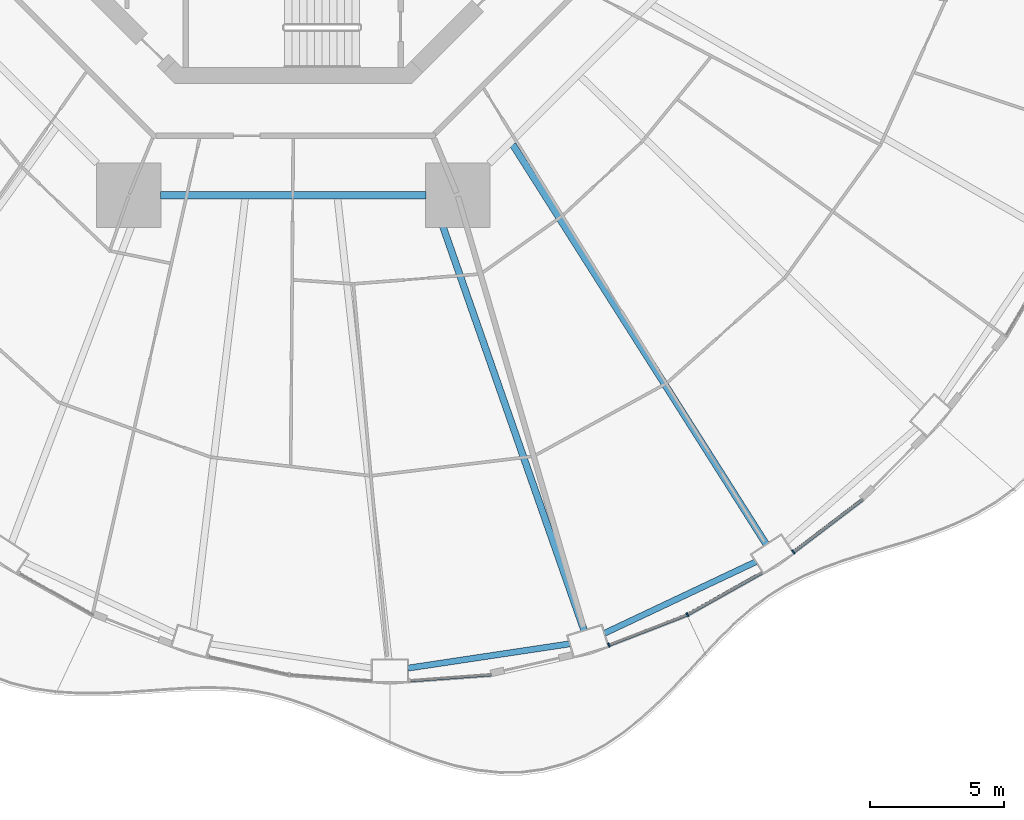
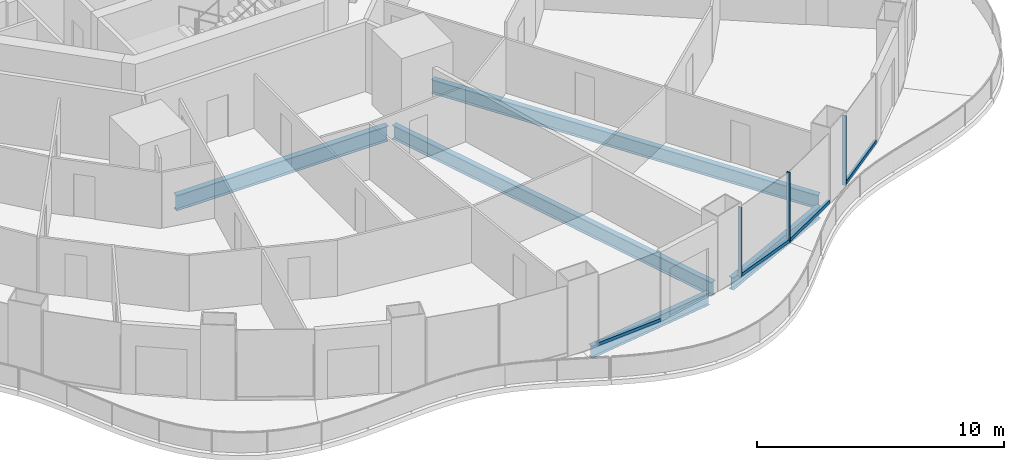
# One storey, part 4 of 22: 7 members, 5 beams, 4 elements without a shape of their own.
"""IFC4 building model written with IfcOpenShell, lengths in metres."""

from ifc_helpers import new_model, si_unit, direction, frame, origin, origin_2d, place, context, subcontext, project, spatial, rectangle, i_section, extrude, material, layer, layer_set, material_profile, profile_set, type_object, element, aggregate, save


model = new_model("IFC4")

# Units and contexts
model_context = context("Model", 3, precision=1e-05, world=origin(), true_north=direction((0.0, 1.0)))
body_context = subcontext(model_context, "Body", "Model", "MODEL_VIEW")
ifc_project = project(units=[si_unit("LENGTHUNIT", "METRE"), si_unit("AREAUNIT", "SQUARE_METRE"), si_unit("VOLUMEUNIT", "CUBIC_METRE"), si_unit("PLANEANGLEUNIT", "RADIAN"), si_unit("MASSUNIT", "GRAM", prefix="KILO")], contexts=[model_context])

# Site, building, storey
site_placement = place(None, origin())
site = spatial("IfcSite", under=ifc_project, at=site_placement, CompositionType="ELEMENT")
building_placement = place(site_placement, origin())
building = spatial("IfcBuilding", under=site, at=building_placement, Name="Nagisa Residences", CompositionType="ELEMENT")
storey_placement = place(building_placement, frame((0.0, 0.0, 38.10009765625)))
storey = spatial("IfcBuildingStorey", under=building, at=storey_placement, Name="L08", CompositionType="ELEMENT", Elevation=38.10009765625)

# Curtain wall, member
ifc_material_1 = material(Name="Concrete-coloured aluminium curtain wall system", Category="concrete")
ifc_layer = layer(ifc_material_1, 0.159912109375)
ifc_layer_set = layer_set([ifc_layer], Name="CW1 CURTAIN WALL")
curtain_wall_type = type_object("IfcCurtainWallType", Name="CW1 CURTAIN WALL", PredefinedType="NOTDEFINED", material=ifc_layer_set)
curtain_wall_1_placement = place(storey_placement, origin())
curtain_wall_1 = element("IfcCurtainWall", 1, at=curtain_wall_1_placement, inside=storey, type_object=curtain_wall_type, Name="cw:CW1:L08:38", PredefinedType="NOTDEFINED")
ifc_material_2 = material(Name="Concrete-coloured aluminium", Category="concrete")
ifc_material_profile_1 = material_profile(ifc_material_2, rectangle(XDim=0.159912109375, YDim=0.06005859375, at=origin_2d()), Name="CW1 MULLION 160x60")
ifc_profile_set_1 = profile_set([ifc_material_profile_1], Name="Concrete-coloured aluminium")
member_type_1 = type_object("IfcMemberType", Name="CW1 MULLION 160x60", PredefinedType="MULLION", material=ifc_profile_set_1)
member_1_placement = place(storey_placement, frame((11.7578125, -31.537841796875, 0.0), z_axis=(0.0, 0.0, 1.0), x_axis=(-0.360327770268, 0.932825759707, 0.0)))
member_1 = element("IfcMember", 2, at=member_1_placement, type_object=member_type_1, Name="CW1 mullion", PredefinedType="MULLION", context=body_context, shape_type="SweptSolid", body=[
    extrude(rectangle(XDim=0.159912109375, YDim=0.06005859375, at=origin_2d()), origin(), (0.0, 0.0, 1.0), 3.43994140625),
])

curtain_wall_2_placement = place(storey_placement, origin())
curtain_wall_2 = element("IfcCurtainWall", 3, at=curtain_wall_2_placement, inside=storey, type_object=curtain_wall_type, Name="cw:CW1:L08:39", PredefinedType="NOTDEFINED")
member_2_placement = place(storey_placement, frame((14.684814453125, -30.403564453125, 0.0), z_axis=(0.0, 0.0, 1.0), x_axis=(-0.489376918501, 0.872072377523, 0.0)))
member_2 = element("IfcMember", 4, at=member_2_placement, type_object=member_type_1, Name="CW1 mullion", PredefinedType="MULLION", context=body_context, shape_type="SweptSolid", body=[
    extrude(rectangle(XDim=0.159912109375, YDim=0.06005859375, at=origin_2d()), origin(), (0.0, 0.0, 1.0), 3.43994140625),
])

curtain_wall_3_placement = place(storey_placement, origin())
curtain_wall_3 = element("IfcCurtainWall", 5, at=curtain_wall_3_placement, inside=storey, type_object=curtain_wall_type, Name="cw:CW1:L08:40", PredefinedType="NOTDEFINED")
member_3_placement = place(storey_placement, frame((18.632568359375, -28.0732421875, 0.0), z_axis=(0.0, 0.0, 1.0), x_axis=(-0.605255421737, 0.79603132756, 0.0)))
member_3 = element("IfcMember", 6, at=member_3_placement, type_object=member_type_1, Name="CW1 mullion", PredefinedType="MULLION", context=body_context, shape_type="SweptSolid", body=[
    extrude(rectangle(XDim=0.159912109375, YDim=0.06005859375, at=origin_2d()), origin(), (0.0, 0.0, 1.0), 3.43994140625),
])

curtain_wall_4_placement = place(storey_placement, origin())
curtain_wall_4 = element("IfcCurtainWall", 7, at=curtain_wall_4_placement, inside=storey, type_object=curtain_wall_type, Name="cw:CW1:L08:36", PredefinedType="NOTDEFINED")
ifc_material_3 = material(Name="Concrete-coloured aluminium", Category="concrete")
ifc_material_profile_2 = material_profile(ifc_material_3, rectangle(XDim=0.1201171875, YDim=0.14990234375, at=origin_2d()), Name="CW1 TRANSOM 120x150")
ifc_profile_set_2 = profile_set([ifc_material_profile_2], Name="Concrete-coloured aluminium")
member_type_2 = type_object("IfcMemberType", Name="CW1 TRANSOM 120x150", PredefinedType="USERDEFINED", material=ifc_profile_set_2)
member_4_placement = place(storey_placement, frame((4.2919921875, -32.8681640625, 0.074951171875), z_axis=(0.997231270995, 0.07436257224, 0.0), x_axis=(-0.07436257224, 0.997231270995, 0.0)))
member_4 = element("IfcMember", 8, at=member_4_placement, type_object=member_type_2, Name="CW1 transom", ObjectType="TRANSOM", PredefinedType="USERDEFINED", context=body_context, shape_type="SweptSolid", body=[
    extrude(rectangle(XDim=0.1201171875, YDim=0.14990234375, at=origin_2d()), origin(), (0.0, 0.0, 1.0), 3.095947265625),
])
aggregate(curtain_wall_4, [member_4])

# Member
member_5_placement = place(storey_placement, frame((11.72998046875, -31.548583984375, 0.074951171875), z_axis=(0.932825366452, 0.360328788337, 0.0), x_axis=(-0.360328788337, 0.932825366452, 0.0)))
member_5 = element("IfcMember", 9, at=member_5_placement, type_object=member_type_2, Name="CW1 transom", ObjectType="TRANSOM", PredefinedType="USERDEFINED", context=body_context, shape_type="SweptSolid", body=[
    extrude(rectangle(XDim=0.1201171875, YDim=0.14990234375, at=origin_2d()), origin(), (0.0, 0.0, 1.0), 3.150634765625),
])

aggregate(curtain_wall_1, [member_1, member_5])

member_6_placement = place(storey_placement, frame((14.65869140625, -30.418212890625, 0.074951171875), z_axis=(0.872070011948, 0.489381133946, 0.0), x_axis=(-0.489381133946, 0.872070011948, 0.0)))
member_6 = element("IfcMember", 10, at=member_6_placement, type_object=member_type_2, Name="CW1 transom", ObjectType="TRANSOM", PredefinedType="USERDEFINED", context=body_context, shape_type="SweptSolid", body=[
    extrude(rectangle(XDim=0.1201171875, YDim=0.14990234375, at=origin_2d()), origin(), (0.0, 0.0, 1.0), 3.201171875),
])

aggregate(curtain_wall_2, [member_2, member_6])

member_7_placement = place(storey_placement, frame((18.60888671875, -28.091552734375, 0.074951171875), z_axis=(0.79599487499, 0.605303361125, 0.0), x_axis=(-0.605303361125, 0.79599487499, 0.0)))
member_7 = element("IfcMember", 11, at=member_7_placement, type_object=member_type_2, Name="CW1 transom", ObjectType="TRANSOM", PredefinedType="USERDEFINED", context=body_context, shape_type="SweptSolid", body=[
    extrude(rectangle(XDim=0.1201171875, YDim=0.14990234375, at=origin_2d()), origin(), (0.0, 0.0, 1.0), 3.26220703125),
])

aggregate(curtain_wall_3, [member_3, member_7])

# Beams
ifc_material_4 = material(Name="Steel ASTM A572 Gr 50", Category="steel")
ifc_material_profile_3 = material_profile(ifc_material_4, i_section(OverallWidth=0.264892578125, OverallDepth=0.7529296875, WebThickness=0.01318359375, FlangeThickness=0.01708984375, at=origin_2d()), Name="W760x147")
ifc_profile_set_3 = profile_set([ifc_material_profile_3], Name="Steel ASTM A572 Gr 50")
beam_type_1 = type_object("IfcBeamType", Name="Inner ring beam W760x147", PredefinedType="BEAM", material=ifc_profile_set_3)
beam_1_placement = place(storey_placement, frame((-4.94287109375, -14.781982421875, -0.63671875), z_axis=(1.0, 0.0, 0.0), x_axis=(0.0, 1.0, 0.0)))
element("IfcBeam", 12, at=beam_1_placement, inside=storey, type_object=beam_type_1, Name="beam:L08:ib6", PredefinedType="BEAM", context=body_context, shape_type="SweptSolid", body=[
    extrude(i_section(OverallWidth=0.264892578125, OverallDepth=0.7529296875, WebThickness=0.01318359375, FlangeThickness=0.01708984375, at=origin_2d()), origin(), (0.0, 0.0, 1.0), 9.8857421875),
])
ifc_material_5 = material(Name="Steel ASTM A572 Gr 50", Category="steel")
ifc_material_profile_4 = material_profile(ifc_material_5, i_section(OverallWidth=0.22802734375, OverallDepth=0.60302734375, WebThickness=0.010498046875, FlangeThickness=0.014892578125, at=origin_2d()), Name="W610x101")
ifc_profile_set_4 = profile_set([ifc_material_profile_4], Name="Steel ASTM A572 Gr 50")
beam_type_2 = type_object("IfcBeamType", Name="Perimeter ring beam W610x101", PredefinedType="BEAM", material=ifc_profile_set_4)
beam_2_placement = place(storey_placement, frame((4.2802734375, -32.39794921875, -0.5615234375), z_axis=(0.988914559467, 0.14848566959, 0.0), x_axis=(-0.14848566959, 0.988914559467, 0.0)))
element("IfcBeam", 13, at=beam_2_placement, inside=storey, type_object=beam_type_2, Name="beam:L08:pb19", PredefinedType="BEAM", context=body_context, shape_type="SweptSolid", body=[
    extrude(i_section(OverallWidth=0.22802734375, OverallDepth=0.60302734375, WebThickness=0.010498046875, FlangeThickness=0.014892578125, at=origin_2d()), origin(), (0.0, 0.0, 1.0), 6.08349609375),
])
beam_3_placement = place(storey_placement, frame((11.597900390625, -31.098876953125, -0.5615234375), z_axis=(0.904215426643, 0.427076646774, 0.0), x_axis=(-0.427076646774, 0.904215426643, 0.0)))
element("IfcBeam", 14, at=beam_3_placement, inside=storey, type_object=beam_type_2, Name="beam:L08:pb20", PredefinedType="BEAM", context=body_context, shape_type="SweptSolid", body=[
    extrude(i_section(OverallWidth=0.22802734375, OverallDepth=0.60302734375, WebThickness=0.010498046875, FlangeThickness=0.014892578125, at=origin_2d()), origin(), (0.0, 0.0, 1.0), 6.2275390625),
])
ifc_material_6 = material(Name="Steel ASTM A572 Gr 50", Category="steel")
ifc_material_profile_5 = material_profile(ifc_material_6, i_section(OverallWidth=0.25390625, OverallDepth=0.68408203125, WebThickness=0.012451171875, FlangeThickness=0.018798828125, at=origin_2d()), Name="W690x140")
ifc_profile_set_5 = profile_set([ifc_material_profile_5], Name="Steel ASTM A572 Gr 50")
beam_type_3 = type_object("IfcBeamType", Name="Radial beam W690x140", PredefinedType="BEAM", material=ifc_profile_set_5)
beam_4_placement = place(storey_placement, frame((10.834228515625, -30.986328125, -0.60205078125), z_axis=(-0.330051195485, 0.943963033364, 0.0), x_axis=(-0.943963033364, -0.330051195485, 0.0)))
element("IfcBeam", 15, at=beam_4_placement, inside=storey, type_object=beam_type_3, Name="beam:L08:rb20", PredefinedType="BEAM", context=body_context, shape_type="SweptSolid", body=[
    extrude(i_section(OverallWidth=0.25390625, OverallDepth=0.68408203125, WebThickness=0.012451171875, FlangeThickness=0.018798828125, at=origin_2d()), origin(), (0.0, 0.0, 1.0), 17.045654296875),
])
beam_5_placement = place(storey_placement, frame((17.61962890625, -27.78271484375, -0.60205078125), z_axis=(-0.53556610664, 0.844493306911, 0.0), x_axis=(-0.844493306911, -0.53556610664, 0.0)))
element("IfcBeam", 16, at=beam_5_placement, inside=storey, type_object=beam_type_3, Name="beam:L08:rb21", PredefinedType="BEAM", context=body_context, shape_type="SweptSolid", body=[
    extrude(i_section(OverallWidth=0.25390625, OverallDepth=0.68408203125, WebThickness=0.012451171875, FlangeThickness=0.018798828125, at=origin_2d()), origin(), (0.0, 0.0, 1.0), 17.63525390625),
])

save(model, "model.ifc")
